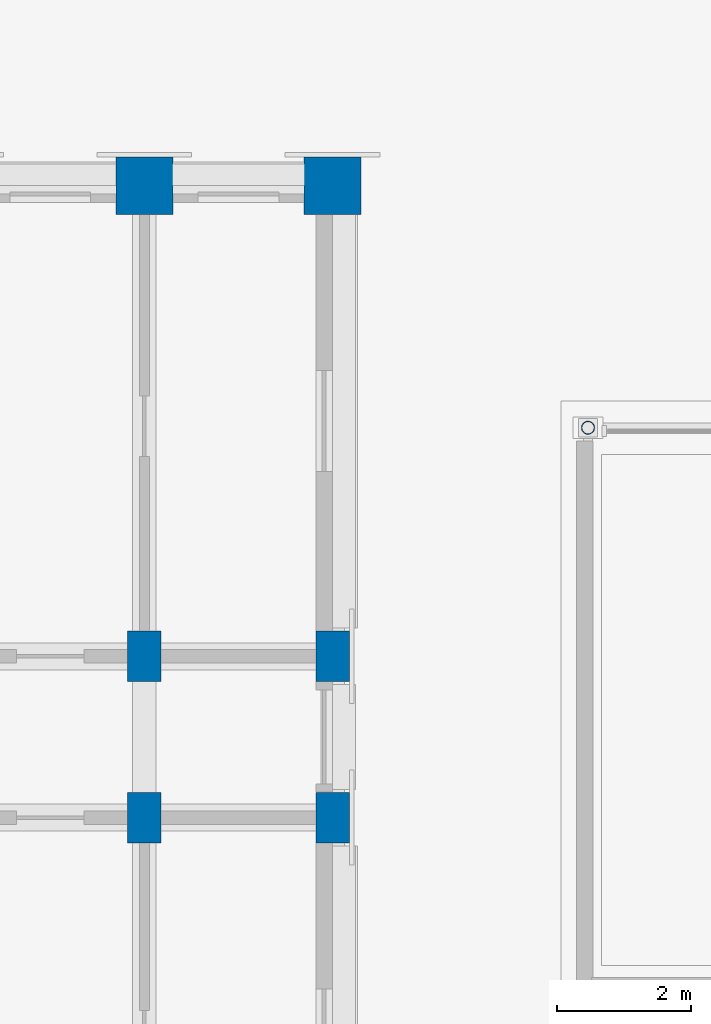
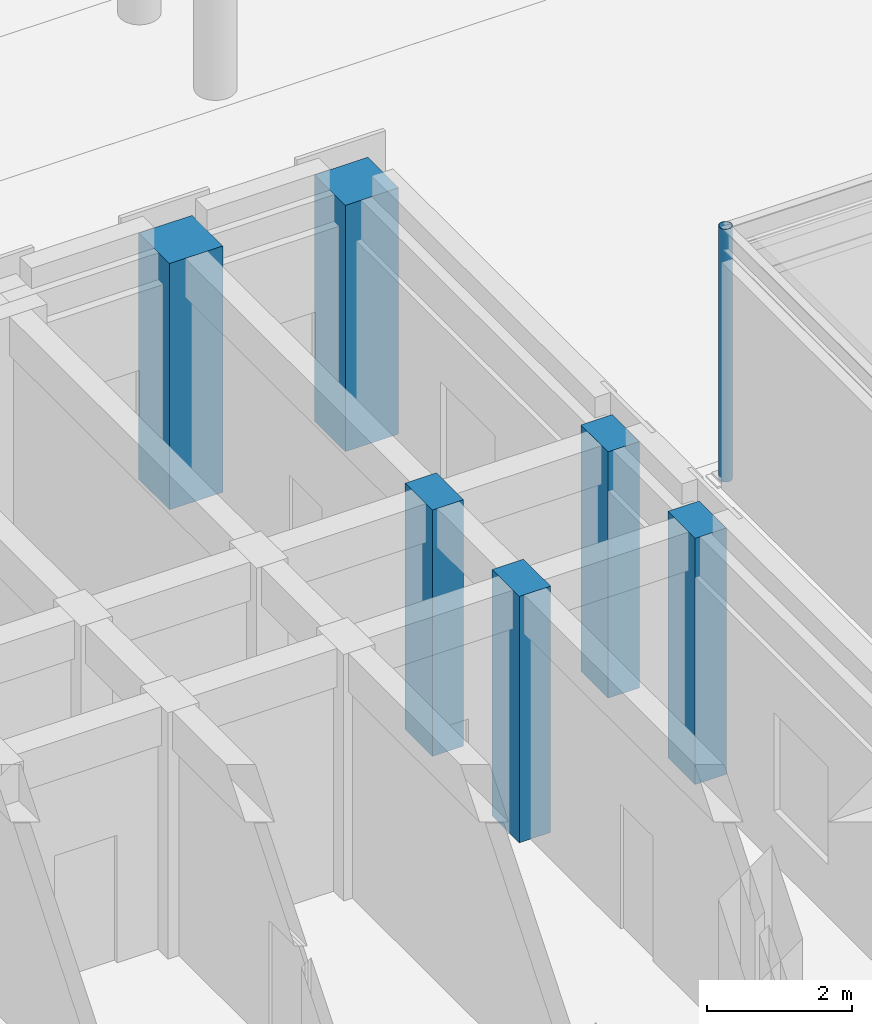
# One storey, part 4 of 135: 7 columns.
"""IFC4 building model written with IfcOpenShell, lengths in metres."""

from ifc_helpers import new_model, si_unit, direction, frame, origin, origin_2d, place, context, subcontext, project, spatial, rectangle, hollow_circle, extrude, material, material_profile, profile_set, type_object, element, save


model = new_model("IFC4")

# Units and contexts
model_context = context("Model", 3, precision=1e-05, world=origin(), true_north=direction((0.0, 1.0)))
body_context = subcontext(model_context, "Body", "Model", "MODEL_VIEW")
ifc_project = project(units=[si_unit("LENGTHUNIT", "METRE"), si_unit("AREAUNIT", "SQUARE_METRE"), si_unit("VOLUMEUNIT", "CUBIC_METRE"), si_unit("PLANEANGLEUNIT", "RADIAN"), si_unit("MASSUNIT", "GRAM", prefix="KILO")], contexts=[model_context])

# Site, building, storey
site_placement = place(None, origin())
site = spatial("IfcSite", under=ifc_project, at=site_placement, CompositionType="ELEMENT")
building_placement = place(site_placement, origin())
building = spatial("IfcBuilding", under=site, at=building_placement, Name="Kiranvali Square Residences", CompositionType="ELEMENT")
storey_placement = place(building_placement, origin())
storey = spatial("IfcBuildingStorey", under=building, at=storey_placement, Name="L00", CompositionType="ELEMENT", Elevation=0.0)

# Columns
ifc_material_1 = material(Name="Concrete M45 (45 MPa)", Category="concrete")
ifc_material_profile_1 = material_profile(ifc_material_1, rectangle(XDim=0.5, YDim=0.75, at=origin_2d()), Name="RC 750x500")
ifc_profile_set_1 = profile_set([ifc_material_profile_1], Name="Concrete M45 (45 MPa)")
column_type_1 = type_object("IfcColumnType", Name="COL-M45-750x500", PredefinedType="COLUMN", material=ifc_profile_set_1)
for number, where, z_axis, x_axis, name in (
    (1, (67.800048828125, 22.39990234375, 0.0), (0.0, 0.0, 1.0), (1.0, 0.0, 0.0), "Block C L00 Arm 1 column U4-R1"),
    (2, (67.800048828125, 20.0, 0.0), (0.0, 0.0, 1.0), (1.0, 0.0, 0.0), "Block C L00 Arm 1 column U4-R2"),
    (3, (70.60009765625, 22.39990234375, 0.0), (0.0, 0.0, 1.0), (1.0, 0.0, 0.0), "Block C L00 Arm 1 column U5-R1"),
    (4, (70.60009765625, 20.0, 0.0), (0.0, 0.0, 1.0), (1.0, 0.0, 0.0), "Block C L00 Arm 1 column U5-R2"),
):
    element("IfcColumn", number, at=place(storey_placement, frame(where, z_axis=z_axis, x_axis=x_axis)), inside=storey, type_object=column_type_1, Name=name, PredefinedType="COLUMN", context=body_context, shape_type="SweptSolid", body=[
        extrude(rectangle(XDim=0.5, YDim=0.75, at=origin_2d()), origin(), (0.0, 0.0, 1.0), 4.14990234375),
    ])
ifc_material_2 = material(Name="Concrete M50 (50 MPa)", Category="concrete")
ifc_material_profile_2 = material_profile(ifc_material_2, rectangle(XDim=0.85009765625, YDim=0.85009765625, at=origin_2d()), Name="RC 850x850")
ifc_profile_set_2 = profile_set([ifc_material_profile_2], Name="Concrete M50 (50 MPa)")
column_type_2 = type_object("IfcColumnType", Name="COL-M50-850", PredefinedType="COLUMN", material=ifc_profile_set_2)
for number, where, z_axis, x_axis, name in (
    (5, (67.800048828125, 29.39990234375, 0.0), (0.0, 0.0, 1.0), (1.0, 0.0, 0.0), "Block C L00 Arm 1 column U4-R0"),
    (6, (70.60009765625, 29.39990234375, 0.0), (0.0, 0.0, 1.0), (1.0, 0.0, 0.0), "Block C L00 Arm 1 column U5-R0"),
):
    element("IfcColumn", number, at=place(storey_placement, frame(where, z_axis=z_axis, x_axis=x_axis)), inside=storey, type_object=column_type_2, Name=name, PredefinedType="COLUMN", context=body_context, shape_type="SweptSolid", body=[
        extrude(rectangle(XDim=0.85009765625, YDim=0.85009765625, at=origin_2d()), origin(), (0.0, 0.0, 1.0), 4.14990234375),
    ])
ifc_material_3 = material(Name="Structural steel E350", Category="steel")
ifc_material_profile_3 = material_profile(ifc_material_3, hollow_circle(Radius=0.096923828125, WallThickness=0.006103515625, at=origin_2d()), Name="CHS 193.7x6.0")
ifc_profile_set_3 = profile_set([ifc_material_profile_3], Name="Structural steel E350")
column_type_3 = type_object("IfcColumnType", Name="SCOL-CHS193", PredefinedType="COLUMN", material=ifc_profile_set_3)
column_placement = place(storey_placement, frame((74.39990234375, 25.800048828125, 0.0), z_axis=(0.0, 0.0, 1.0), x_axis=(1.0, 0.0, 0.0)))
element("IfcColumn", 7, at=column_placement, inside=storey, type_object=column_type_3, Name="South Boulevard Ramp and Arcade Portal steel column 4.1", PredefinedType="COLUMN", context=body_context, shape_type="SweptSolid", body=[
    extrude(hollow_circle(Radius=0.096923828125, WallThickness=0.006103515625, at=origin_2d()), origin(), (0.0, 0.0, 1.0), 4.260009765625),
])

save(model, "model.ifc")
